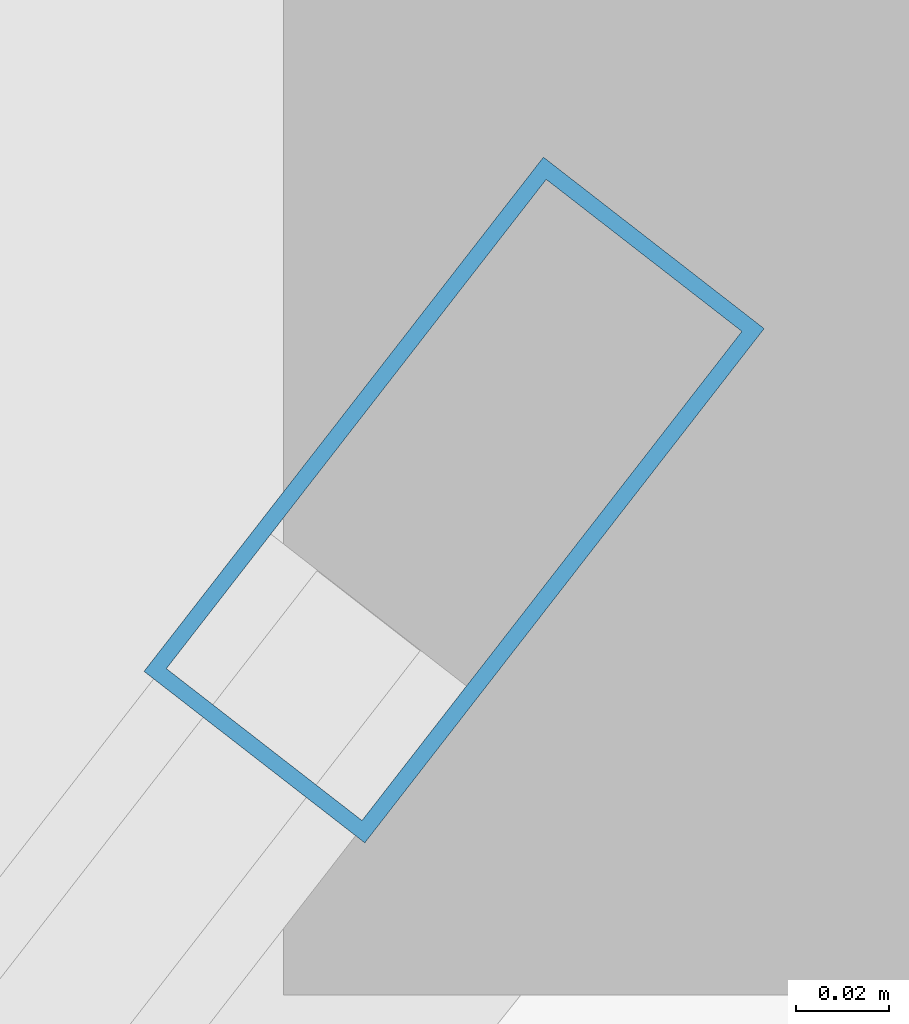
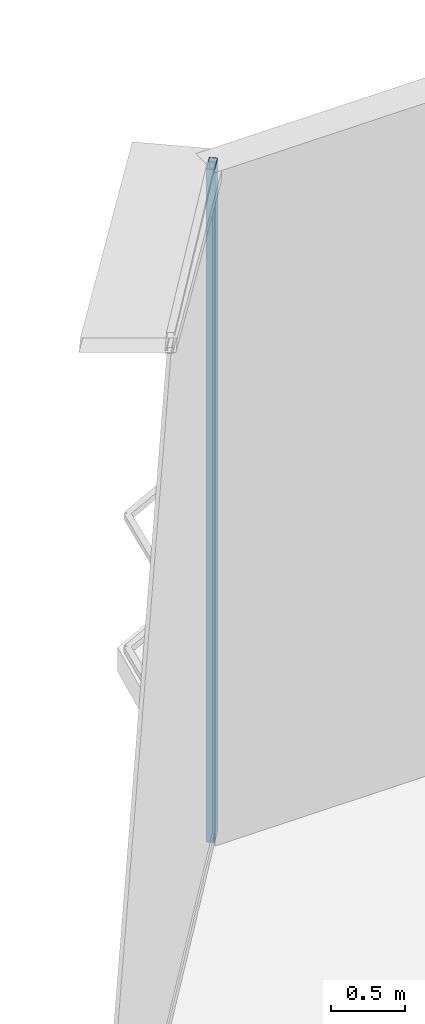
# One storey, part 22 of 33: 1 member, 1 element without a shape of its own.
"""IFC4 building model written with IfcOpenShell, lengths in metres."""

from ifc_helpers import new_model, si_unit, direction, frame, origin, origin_2d, place, context, subcontext, project, spatial, hollow_rectangle, extrude, source, transform, mapped, material, layer, layer_set, material_profile, profile_set, type_object, element, aggregate, save


model = new_model("IFC4")

# Units and contexts
model_context = context("Model", 3, precision=1e-05, world=origin(), true_north=direction((0.0, 1.0)))
body_context = subcontext(model_context, "Body", "Model", "MODEL_VIEW")
ifc_project = project(units=[si_unit("LENGTHUNIT", "METRE"), si_unit("AREAUNIT", "SQUARE_METRE"), si_unit("VOLUMEUNIT", "CUBIC_METRE"), si_unit("PLANEANGLEUNIT", "RADIAN"), si_unit("MASSUNIT", "GRAM", prefix="KILO"), si_unit("THERMODYNAMICTEMPERATUREUNIT", "KELVIN"), si_unit("POWERUNIT", "WATT")], contexts=[model_context])

# Site, building, storey
site_placement = place(None, origin())
site = spatial("IfcSite", under=ifc_project, at=site_placement, CompositionType="ELEMENT")
building_placement = place(site_placement, origin())
building = spatial("IfcBuilding", under=site, at=building_placement, Name="Yunzhuo Pagoda Commons", CompositionType="ELEMENT")
storey_placement = place(building_placement, frame((0.0, 0.0, 314.860107421875)))
storey = spatial("IfcBuildingStorey", under=building, at=storey_placement, Name="L79", CompositionType="ELEMENT", Elevation=314.860107421875)

# Curtain wall, member
ifc_material = material(Name="Anodized aluminium 6063-T6", Category="aluminium")
ifc_layer = layer(ifc_material, 0.139892578125)
ifc_layer_set = layer_set([ifc_layer], Name="Anodized aluminium 6063-T6")
curtain_wall_type = type_object("IfcCurtainWallType", Name="CW-HI High-Zone Ribbon Curtain Wall", PredefinedType="NOTDEFINED", material=ifc_layer_set)
curtain_wall_placement = place(storey_placement, origin())
curtain_wall = element("IfcCurtainWall", 1, at=curtain_wall_placement, inside=storey, type_object=curtain_wall_type, Name="L79 curtain wall CW-L79-F3B1", PredefinedType="NOTDEFINED")
ifc_material_profile = material_profile(ifc_material, hollow_rectangle(XDim=0.06005859375, YDim=0.139892578125, WallThickness=0.00341796875, at=origin_2d()), Name="Anodized aluminium 6063-T6")
ifc_profile_set = profile_set([ifc_material_profile], Name="Anodized aluminium 6063-T6")
member_type = type_object("IfcMemberType", Name="CW-HI-M Mullion RHS 140x60x3.5", PredefinedType="MULLION", material=ifc_profile_set)
shared_shape = source(origin(), body_context, "Body", "SweptSolid", [
    extrude(hollow_rectangle(XDim=0.06005859375, YDim=0.139892578125, WallThickness=0.00341796875, at=origin_2d()), origin(), (0.0, 0.0, 1.0), 5.56982421875),
])
member_placement = place(storey_placement, frame((44.69580078125, 73.76220703125, 0.0), z_axis=(0.0, 0.0, 1.0), x_axis=(0.789782734714, -0.61338669039, 0.0)))
member = element("IfcMember", 2, at=member_placement, type_object=member_type, Name="CW mullion 1", PredefinedType="MULLION", context=body_context, shape_type="MappedRepresentation", body=[
    mapped(shared_shape, transform((0.0, 0.0, 0.0), scale=1.0)),
])
aggregate(curtain_wall, [member])

save(model, "model.ifc")
